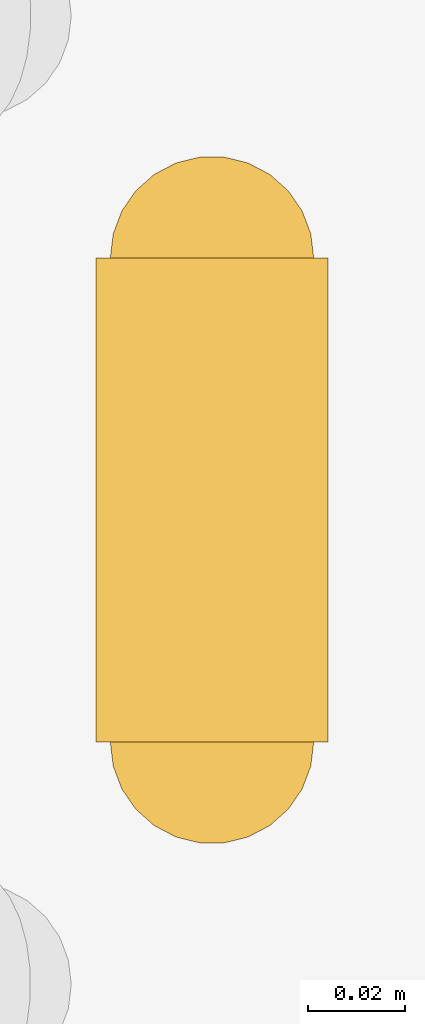
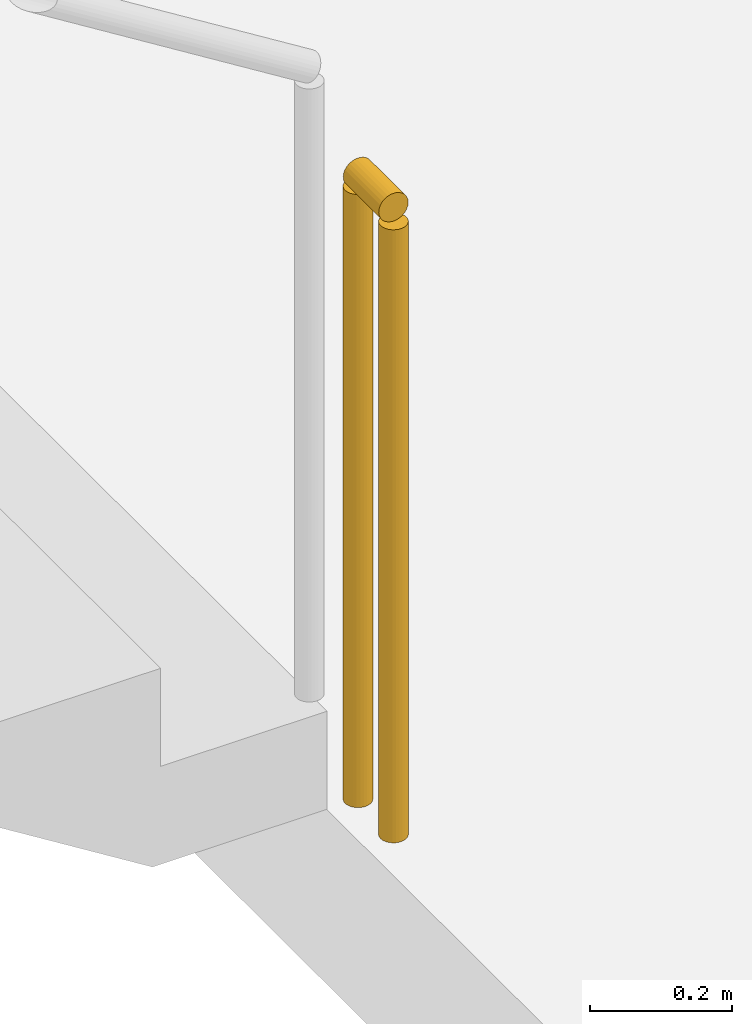
# One storey, part 15 of 16: 1 railing.
"""IFC4 building model written with IfcOpenShell, lengths in metres."""

from ifc_helpers import new_model, si_unit, direction, frame, origin, origin_2d, place, context, subcontext, project, spatial, circle, extrude, material, type_object, element, save


model = new_model("IFC4")

# Units and contexts
model_context = context("Model", 3, precision=1e-05, world=origin(), true_north=direction((0.0, 1.0)))
body_context = subcontext(model_context, "Body", "Model", "MODEL_VIEW")
ifc_project = project(units=[si_unit("LENGTHUNIT", "METRE"), si_unit("AREAUNIT", "SQUARE_METRE"), si_unit("VOLUMEUNIT", "CUBIC_METRE"), si_unit("PLANEANGLEUNIT", "RADIAN"), si_unit("MASSUNIT", "GRAM", prefix="KILO")], contexts=[model_context])

# Site, building, storey
site_placement = place(None, origin())
site = spatial("IfcSite", under=ifc_project, at=site_placement, CompositionType="ELEMENT")
building_placement = place(site_placement, origin())
building = spatial("IfcBuilding", under=site, at=building_placement, Name="Vermilion Reach Broadcast Tower", CompositionType="ELEMENT")
storey_placement = place(building_placement, frame((0.0, 0.0, 80.39990234375)))
storey = spatial("IfcBuildingStorey", under=building, at=storey_placement, Name="L17", CompositionType="ELEMENT", Elevation=80.39990234375)

# Railing
ifc_material = material(Name="Stainless steel", Category="steel")
railing_type = type_object("IfcRailingType", Name="Stair guard 1100", PredefinedType="GUARDRAIL", material=ifc_material)
railing_placement = place(storey_placement, frame((-0.949951171875, 5.639892578125, 0.0)))
element("IfcRailing", 1, at=railing_placement, inside=storey, type_object=railing_type, Name="L17 ST2 stair guard 4", PredefinedType="GUARDRAIL", context=body_context, shape_type="SweptSolid", body=[
    extrude(circle(Radius=0.02392578125, at=origin_2d()), frame((0.0, 0.0, 1.076171875), z_axis=(0.0, -1.0, 0.0), x_axis=(1.0, 0.0, 0.0)), (0.0, 0.0, 1.0), 0.099853515625),
    extrude(circle(Radius=0.02099609375, at=origin_2d()), origin(), (0.0, 0.0, 1.0), 1.052001953125),
    extrude(circle(Radius=0.02099609375, at=origin_2d()), frame((0.0, -0.099853515625, 0.0)), (0.0, 0.0, 1.0), 1.052001953125),
])

save(model, "model.ifc")
